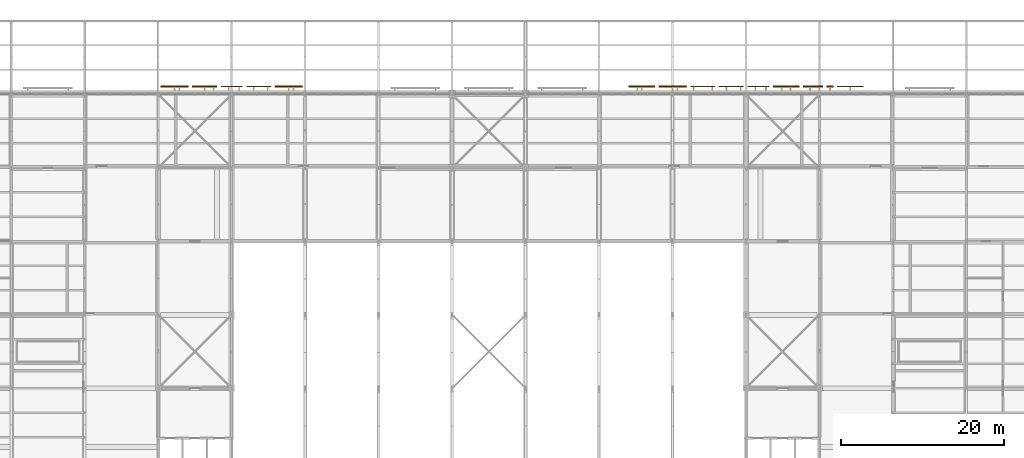
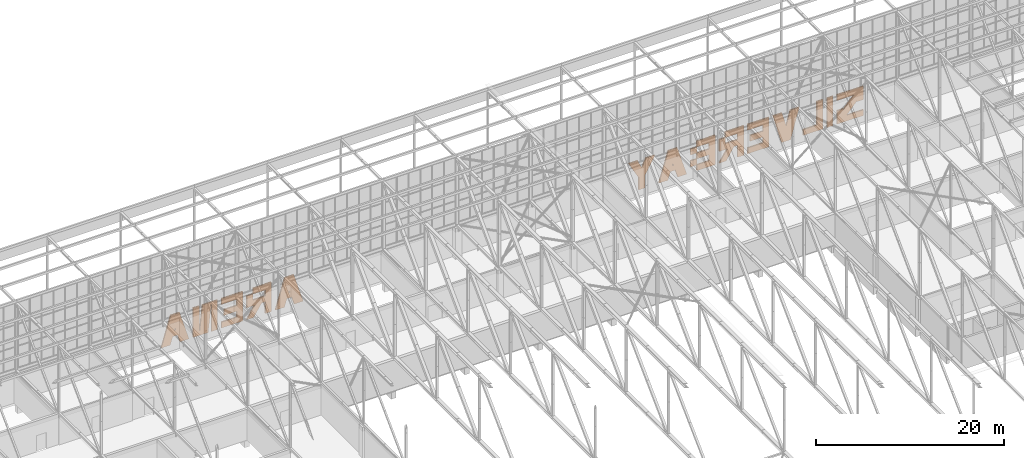
# One storey, part 646 of 646: 14 proxies.
"""IFC4 building model written with IfcOpenShell, lengths in metres."""

import ifcopenshell
import ifcopenshell.guid

model = None  # the IFC model being written
_history = None  # IfcOwnerHistory: only IFC2X3 demands one
_inside = {}  # id of a spatial element -> (the spatial element, [elements in it])
_under = {}  # id of a project, library or spatial element -> (it, [spatial elements below it])
_declared = {}  # id of a project -> (the project, [libraries it declares])
_typed = {}  # id of a type object -> (the type object, [elements of that type])
_made_of = {}  # id of a material, layer set ... -> (it, [elements and type objects made of it])


def new_model(schema):
    """Start an empty IFC model of exactly this schema.

    Asked for "IFC4X3", IfcOpenShell would pick the latest addendum, in which some entities
    have other attributes; the version numbers below select the first issue.
    IFC2X3 requires an IfcOwnerHistory on every rooted entity: one is made here for all.
    """
    global model, _history
    if schema == "IFC4X3":
        model = ifcopenshell.file(schema_version=(4, 3, 0, 0))
    else:
        model = ifcopenshell.file(schema=schema)
    _inside.clear()
    _under.clear()
    _declared.clear()
    _typed.clear()
    _made_of.clear()
    _history = None
    if model.schema == "IFC2X3":
        org = make("IfcOrganization", Name="unknown")
        user = make(
            "IfcPersonAndOrganization",
            ThePerson=make("IfcPerson", FamilyName="unknown"),
            TheOrganization=org,
        )
        app = make(
            "IfcApplication",
            ApplicationDeveloper=org,
            Version="unknown",
            ApplicationFullName="unknown",
            ApplicationIdentifier="unknown",
        )
        _history = make(
            "IfcOwnerHistory",
            OwningUser=user,
            OwningApplication=app,
            ChangeAction="ADDED",
            CreationDate=0,
        )
    return model


def make(cls, **values):
    """One entity of the class cls with the attributes given. An attribute that is None is left unset."""
    return model.create_entity(
        cls, **{name: value for name, value in values.items() if value is not None}
    )


def rooted(cls, **values):
    """An entity with a GlobalId (a new one), such as an element, a storey or a relation."""
    return make(cls, GlobalId=ifcopenshell.guid.new(), OwnerHistory=_history, **values)


def si_unit(unit_type, name, prefix=None):
    """IfcSIUnit, for example si_unit("LENGTHUNIT", "METRE", prefix="MILLI")."""
    return make("IfcSIUnit", UnitType=unit_type, Prefix=prefix, Name=name)


def assignment(units):
    """IfcUnitAssignment: the units of a project."""
    return None if units is None else make("IfcUnitAssignment", Units=units)


def point(xyz):
    """IfcCartesianPoint."""
    return None if xyz is None else make("IfcCartesianPoint", Coordinates=xyz)


def direction(xyz):
    """IfcDirection."""
    return None if xyz is None else make("IfcDirection", DirectionRatios=xyz)


def frame(location, z_axis=None, x_axis=None):
    """IfcAxis2Placement3D, a coordinate frame: its origin and axes. An axis left out is left unset."""
    return make(
        "IfcAxis2Placement3D",
        Location=point(location),
        Axis=direction(z_axis),
        RefDirection=direction(x_axis),
    )


def origin():
    """The frame at (0, 0, 0) with its axes left unset."""
    return frame((0.0, 0.0, 0.0))


def place(relative_to, where):
    """IfcLocalPlacement: puts the frame where relative to a parent placement (None: the world)."""
    return make(
        "IfcLocalPlacement", PlacementRelTo=relative_to, RelativePlacement=where
    )


def context(
    kind, dimensions, precision=None, world=None, true_north=None, identifier=None
):
    """IfcGeometricRepresentationContext, for example the 3D "Model" context."""
    return make(
        "IfcGeometricRepresentationContext",
        ContextIdentifier=identifier,
        ContextType=kind,
        CoordinateSpaceDimension=dimensions,
        Precision=precision,
        WorldCoordinateSystem=world,
        TrueNorth=true_north,
    )


def subcontext(parent, identifier, kind, view, scale=None):
    """IfcGeometricRepresentationSubContext, for example "Body" below "Model"."""
    return make(
        "IfcGeometricRepresentationSubContext",
        ContextIdentifier=identifier,
        ContextType=kind,
        ParentContext=parent,
        TargetScale=scale,
        TargetView=view,
    )


def project(units=None, contexts=None):
    """IfcProject with its units and contexts."""
    return rooted(
        "IfcProject",
        Name="project",
        RepresentationContexts=contexts,
        UnitsInContext=assignment(units),
    )


def spatial(cls, under=None, at=None, **own):
    """A site, building, storey or space (cls), placed at a placement, below another one or the project."""
    s = rooted(cls, ObjectPlacement=at, **own)
    if under is not None:
        _under.setdefault(under.id(), (under, []))[1].append(s)
    return s


def faces_of(points, faces, orient=None, outer=None):
    """IfcFace entities. A face is a list of loops; a loop is a list of indices into points, from 0.

    orient and outer hold one flag for each loop. By default every Orientation is true, the
    first loop of a face is its IfcFaceOuterBound and the others are IfcFaceBound.
    """
    made = []
    for i, loops in enumerate(faces):
        bounds = []
        for j, loop in enumerate(loops):
            is_outer = j == 0 if outer is None else outer[i][j]
            bounds.append(
                make(
                    "IfcFaceOuterBound" if is_outer else "IfcFaceBound",
                    Bound=make("IfcPolyLoop", Polygon=[points[k] for k in loop]),
                    Orientation=True if orient is None else orient[i][j],
                )
            )
        made.append(make("IfcFace", Bounds=bounds))
    return made


def faceted_brep(points, faces, orient=None, outer=None, voids=None):
    """IfcFacetedBrep: a solid bounded by flat faces; with voids (closed shells), ...WithVoids."""
    shared = [point(p) for p in points]
    hull = make("IfcClosedShell", CfsFaces=faces_of(shared, faces, orient, outer))
    if voids is None:
        return make("IfcFacetedBrep", Outer=hull)
    return make(
        "IfcFacetedBrepWithVoids",
        Outer=hull,
        Voids=[
            make(cls, CfsFaces=faces_of(shared, fs, o, b)) for cls, fs, o, b in voids
        ],
    )


def shape(context_of_items, identifier, shape_type, items):
    """IfcShapeRepresentation: the items that make up one representation, for example the "Body"."""
    return make(
        "IfcShapeRepresentation",
        ContextOfItems=context_of_items,
        RepresentationIdentifier=identifier,
        RepresentationType=shape_type,
        Items=items,
    )


def material(Name=None, Category=None):
    """IfcMaterial."""
    return make("IfcMaterial", Name=Name, Category=Category)


def made_of(thing, what):
    """Note that an element or type object is made of a material, layer set ...; save() writes the relation."""
    if what is not None:
        _made_of.setdefault(what.id(), (what, []))[1].append(thing)
    return thing


def type_object(cls, material=None, **own):
    """A type object (cls), such as IfcWallType, which elements share."""
    return made_of(rooted(cls, **own), material)


def element(
    cls,
    number,
    at=None,
    inside=None,
    cuts=None,
    type_object=None,
    material=None,
    context=None,
    identifier="Body",
    shape_type=None,
    held_by="IfcProductDefinitionShape",
    body=None,
    shapes=None,
    **own,
):
    """One element of the class cls, such as IfcWall. Its Tag is "e" and its number.

    at: its placement. inside: the storey or other place that contains it. cuts: it is an
    opening in that element (IfcRelVoidsElement). A single representation is given by context,
    identifier, shape_type and body (its items); several are given by shapes. held_by: the class
    of the entity that holds the representations. save() writes the other relations.
    """
    e = rooted(cls, Tag="e%d" % number, ObjectPlacement=at, **own)
    if body is not None:
        shapes = [shape(context, identifier, shape_type, body)]
    if shapes is not None:
        e.Representation = make(held_by, Representations=shapes)
    if inside is not None:
        _inside.setdefault(inside.id(), (inside, []))[1].append(e)
    if cuts is not None:
        rooted(
            "IfcRelVoidsElement", RelatingBuildingElement=cuts, RelatedOpeningElement=e
        )
    if type_object is not None:
        _typed.setdefault(type_object.id(), (type_object, []))[1].append(e)
    return made_of(e, material)


def aggregate(whole, parts):
    """IfcRelAggregates: a whole, such as a stair, and the parts it consists of."""
    return rooted("IfcRelAggregates", RelatingObject=whole, RelatedObjects=parts)


def save(model, path):
    """Write the relations noted so far, then the file.

    IfcRelAggregates (storeys below a building ...), IfcRelContainedInSpatialStructure (elements
    in a storey), IfcRelDefinesByType, IfcRelAssociatesMaterial and IfcRelDeclares: one each for
    every whole, place, type object, material and project.
    """
    for whole, parts in _under.values():
        aggregate(whole, parts)
    for where, things in _inside.values():
        rooted(
            "IfcRelContainedInSpatialStructure",
            RelatedElements=things,
            RelatingStructure=where,
        )
    for kind, things in _typed.values():
        rooted("IfcRelDefinesByType", RelatedObjects=things, RelatingType=kind)
    for what, things in _made_of.values():
        rooted("IfcRelAssociatesMaterial", RelatedObjects=things, RelatingMaterial=what)
    for by, libraries in _declared.values():
        rooted("IfcRelDeclares", RelatingContext=by, RelatedDefinitions=libraries)
    model.write(path)


model = new_model("IFC4")

# Units and contexts
model_context = context("Model", 3, precision=1e-05, world=origin(), true_north=direction((0.0, 1.0)))
body_context = subcontext(model_context, "Body", "Model", "MODEL_VIEW")
ifc_project = project(units=[si_unit("LENGTHUNIT", "METRE"), si_unit("AREAUNIT", "SQUARE_METRE"), si_unit("VOLUMEUNIT", "CUBIC_METRE"), si_unit("PLANEANGLEUNIT", "RADIAN"), si_unit("MASSUNIT", "GRAM", prefix="KILO")], contexts=[model_context])

# Site, building, storey
site_placement = place(None, origin())
site = spatial("IfcSite", under=ifc_project, at=site_placement, CompositionType="ELEMENT")
building_placement = place(site_placement, origin())
building = spatial("IfcBuilding", under=site, at=building_placement, Name="Silverbay Arena", CompositionType="ELEMENT")
storey_placement = place(building_placement, frame((0.0, 0.0, 33.5)))
storey = spatial("IfcBuildingStorey", under=building, at=storey_placement, Name="L05", CompositionType="ELEMENT", Elevation=33.5)

# Proxies
ifc_material = material(Name="Stainless steel grade 316, brushed", Category="steel")
building_element_proxy_type = type_object("IfcBuildingElementProxyType", Name="Name band letter 3800", PredefinedType="USERDEFINED", material=ifc_material)
proxy_1_placement = place(storey_placement, origin())
element("IfcBuildingElementProxy", 1, at=proxy_1_placement, inside=storey, type_object=building_element_proxy_type, Name="Name band letter S", ObjectType="SIGNAGE", PredefinedType="USERDEFINED", context=body_context, shape_type="Brep", body=[
    faceted_brep([(176.3896484375, 144.89990234375, 3.9033203125), (173.160400390625, 144.89990234375, 3.9033203125), (173.160400390625, 144.89990234375, 3.146484375), (176.3896484375, 144.89990234375, 3.146484375), (176.3896484375, 145.050048828125, 3.146484375), (173.160400390625, 145.050048828125, 3.146484375), (173.160400390625, 145.050048828125, 3.9033203125), (176.3896484375, 145.050048828125, 3.9033203125), (176.384033203125, 144.89990234375, 3.161865234375), (175.615966796875, 144.89990234375, 3.161865234375), (175.615966796875, 144.89990234375, 2.1630859375), (176.384033203125, 144.89990234375, 2.1630859375), (176.384033203125, 145.050048828125, 2.1630859375), (175.615966796875, 145.050048828125, 2.1630859375), (175.615966796875, 145.050048828125, 3.161865234375), (176.384033203125, 145.050048828125, 3.161865234375), (176.38720703125, 144.89990234375, 3.15869140625), (175.23046875, 144.89990234375, 3.1640625), (173.162841796875, 144.89990234375, 0.84130859375), (174.319580078125, 144.89990234375, 0.8359375), (174.319580078125, 145.050048828125, 0.8359375), (173.162841796875, 145.050048828125, 0.84130859375), (175.23046875, 145.050048828125, 3.1640625), (176.38720703125, 145.050048828125, 3.15869140625), (173.93408203125, 144.89990234375, 1.8369140625), (173.166015625, 144.89990234375, 1.8369140625), (173.166015625, 144.89990234375, 0.838134765625), (173.93408203125, 144.89990234375, 0.838134765625), (173.93408203125, 145.050048828125, 0.838134765625), (173.166015625, 145.050048828125, 0.838134765625), (173.166015625, 145.050048828125, 1.8369140625), (173.93408203125, 145.050048828125, 1.8369140625), (176.3896484375, 144.89990234375, 0.853515625), (173.160400390625, 144.89990234375, 0.853515625), (173.160400390625, 144.89990234375, 0.0966796875), (176.3896484375, 144.89990234375, 0.0966796875), (176.3896484375, 145.050048828125, 0.0966796875), (173.160400390625, 145.050048828125, 0.0966796875), (173.160400390625, 145.050048828125, 0.853515625), (176.3896484375, 145.050048828125, 0.853515625)], [[[0, 1, 2, 3]], [[4, 5, 6, 7]], [[3, 2, 5, 4]], [[2, 1, 6, 5]], [[1, 0, 7, 6]], [[0, 3, 4, 7]], [[8, 9, 10, 11]], [[12, 13, 14, 15]], [[11, 10, 13, 12]], [[10, 9, 14, 13]], [[9, 8, 15, 14]], [[8, 11, 12, 15]], [[16, 17, 18, 19]], [[20, 21, 22, 23]], [[23, 22, 17, 16]], [[22, 21, 18, 17]], [[21, 20, 19, 18]], [[20, 23, 16, 19]], [[24, 25, 26, 27]], [[28, 29, 30, 31]], [[27, 26, 29, 28]], [[26, 25, 30, 29]], [[25, 24, 31, 30]], [[24, 27, 28, 31]], [[32, 33, 34, 35]], [[36, 37, 38, 39]], [[35, 34, 37, 36]], [[34, 33, 38, 37]], [[33, 32, 39, 38]], [[32, 35, 36, 39]]]),
])
proxy_2_placement = place(storey_placement, origin())
element("IfcBuildingElementProxy", 2, at=proxy_2_placement, inside=storey, type_object=building_element_proxy_type, Name="Name band letter I", ObjectType="SIGNAGE", PredefinedType="USERDEFINED", context=body_context, shape_type="Brep", body=[
    faceted_brep([(172.677978515625, 144.89990234375, 3.914794921875), (171.922119140625, 144.89990234375, 3.914794921875), (171.922119140625, 144.89990234375, 0.085205078125), (172.677978515625, 144.89990234375, 0.085205078125), (172.677978515625, 145.050048828125, 0.085205078125), (171.922119140625, 145.050048828125, 0.085205078125), (171.922119140625, 145.050048828125, 3.914794921875), (172.677978515625, 145.050048828125, 3.914794921875)], [[[0, 1, 2, 3]], [[4, 5, 6, 7]], [[3, 2, 5, 4]], [[2, 1, 6, 5]], [[1, 0, 7, 6]], [[0, 3, 4, 7]]]),
])
proxy_3_placement = place(storey_placement, origin())
element("IfcBuildingElementProxy", 3, at=proxy_3_placement, inside=storey, type_object=building_element_proxy_type, Name="Name band letter L", ObjectType="SIGNAGE", PredefinedType="USERDEFINED", context=body_context, shape_type="Brep", body=[
    faceted_brep([(171.427978515625, 144.89990234375, 3.914794921875), (170.672119140625, 144.89990234375, 3.914794921875), (170.672119140625, 144.89990234375, 0.085205078125), (171.427978515625, 144.89990234375, 0.085205078125), (171.427978515625, 145.050048828125, 0.085205078125), (170.672119140625, 145.050048828125, 0.085205078125), (170.672119140625, 145.050048828125, 3.914794921875), (171.427978515625, 145.050048828125, 3.914794921875), (170.688720703125, 144.89990234375, 0.856201171875), (169.01123046875, 144.89990234375, 0.856201171875), (169.01123046875, 144.89990234375, 0.09375), (170.688720703125, 144.89990234375, 0.09375), (170.688720703125, 145.050048828125, 0.09375), (169.01123046875, 145.050048828125, 0.09375), (169.01123046875, 145.050048828125, 0.856201171875), (170.688720703125, 145.050048828125, 0.856201171875)], [[[0, 1, 2, 3]], [[4, 5, 6, 7]], [[3, 2, 5, 4]], [[2, 1, 6, 5]], [[1, 0, 7, 6]], [[0, 3, 4, 7]], [[8, 9, 10, 11]], [[12, 13, 14, 15]], [[11, 10, 13, 12]], [[10, 9, 14, 13]], [[9, 8, 15, 14]], [[8, 11, 12, 15]]]),
])
proxy_4_placement = place(storey_placement, origin())
element("IfcBuildingElementProxy", 4, at=proxy_4_placement, inside=storey, type_object=building_element_proxy_type, Name="Name band letter V", ObjectType="SIGNAGE", PredefinedType="USERDEFINED", context=body_context, shape_type="Brep", body=[
    faceted_brep([(168.532470703125, 144.89990234375, 3.9130859375), (167.4248046875, 144.89990234375, 3.9150390625), (166.36767578125, 144.89990234375, 0.0869140625), (167.47509765625, 144.89990234375, 0.0849609375), (167.47509765625, 145.050048828125, 0.0849609375), (166.36767578125, 145.050048828125, 0.0869140625), (167.4248046875, 145.050048828125, 3.9150390625), (168.532470703125, 145.050048828125, 3.9130859375), (166.42529296875, 144.89990234375, 3.9150390625), (165.317626953125, 144.89990234375, 3.9130859375), (166.374755859375, 144.89990234375, 0.0849609375), (167.482421875, 144.89990234375, 0.0869140625), (167.482421875, 145.050048828125, 0.0869140625), (166.374755859375, 145.050048828125, 0.0849609375), (165.317626953125, 145.050048828125, 3.9130859375), (166.42529296875, 145.050048828125, 3.9150390625)], [[[0, 1, 2, 3]], [[4, 5, 6, 7]], [[7, 6, 1, 0]], [[6, 5, 2, 1]], [[5, 4, 3, 2]], [[4, 7, 0, 3]], [[8, 9, 10, 11]], [[12, 13, 14, 15]], [[15, 14, 9, 8]], [[14, 13, 10, 9]], [[13, 12, 11, 10]], [[12, 15, 8, 11]]]),
])
proxy_5_placement = place(storey_placement, origin())
element("IfcBuildingElementProxy", 5, at=proxy_5_placement, inside=storey, type_object=building_element_proxy_type, Name="Name band letter E", ObjectType="SIGNAGE", PredefinedType="USERDEFINED", context=body_context, shape_type="Brep", body=[
    faceted_brep([(164.827880859375, 144.89990234375, 3.914794921875), (164.072021484375, 144.89990234375, 3.914794921875), (164.072021484375, 144.89990234375, 0.085205078125), (164.827880859375, 144.89990234375, 0.085205078125), (164.827880859375, 145.050048828125, 0.085205078125), (164.072021484375, 145.050048828125, 0.085205078125), (164.072021484375, 145.050048828125, 3.914794921875), (164.827880859375, 145.050048828125, 3.914794921875), (164.0888671875, 144.89990234375, 3.905517578125), (162.211181640625, 144.89990234375, 3.905517578125), (162.211181640625, 144.89990234375, 3.144287109375), (164.0888671875, 144.89990234375, 3.144287109375), (164.0888671875, 145.050048828125, 3.144287109375), (162.211181640625, 145.050048828125, 3.144287109375), (162.211181640625, 145.050048828125, 3.905517578125), (164.0888671875, 145.050048828125, 3.905517578125), (164.08837890625, 144.89990234375, 2.381591796875), (162.511474609375, 144.89990234375, 2.381591796875), (162.511474609375, 144.89990234375, 1.618408203125), (164.08837890625, 144.89990234375, 1.618408203125), (164.08837890625, 145.050048828125, 1.618408203125), (162.511474609375, 145.050048828125, 1.618408203125), (162.511474609375, 145.050048828125, 2.381591796875), (164.08837890625, 145.050048828125, 2.381591796875), (164.0888671875, 144.89990234375, 0.855712890625), (162.211181640625, 144.89990234375, 0.855712890625), (162.211181640625, 144.89990234375, 0.094482421875), (164.0888671875, 144.89990234375, 0.094482421875), (164.0888671875, 145.050048828125, 0.094482421875), (162.211181640625, 145.050048828125, 0.094482421875), (162.211181640625, 145.050048828125, 0.855712890625), (164.0888671875, 145.050048828125, 0.855712890625)], [[[0, 1, 2, 3]], [[4, 5, 6, 7]], [[3, 2, 5, 4]], [[2, 1, 6, 5]], [[1, 0, 7, 6]], [[0, 3, 4, 7]], [[8, 9, 10, 11]], [[12, 13, 14, 15]], [[11, 10, 13, 12]], [[10, 9, 14, 13]], [[9, 8, 15, 14]], [[8, 11, 12, 15]], [[16, 17, 18, 19]], [[20, 21, 22, 23]], [[19, 18, 21, 20]], [[18, 17, 22, 21]], [[17, 16, 23, 22]], [[16, 19, 20, 23]], [[24, 25, 26, 27]], [[28, 29, 30, 31]], [[27, 26, 29, 28]], [[26, 25, 30, 29]], [[25, 24, 31, 30]], [[24, 27, 28, 31]]]),
])
proxy_6_placement = place(storey_placement, origin())
element("IfcBuildingElementProxy", 6, at=proxy_6_placement, inside=storey, type_object=building_element_proxy_type, Name="Name band letter R", ObjectType="SIGNAGE", PredefinedType="USERDEFINED", context=body_context, shape_type="Brep", body=[
    faceted_brep([(161.727783203125, 144.89990234375, 3.914794921875), (160.97216796875, 144.89990234375, 3.914794921875), (160.97216796875, 144.89990234375, 0.085205078125), (161.727783203125, 144.89990234375, 0.085205078125), (161.727783203125, 145.050048828125, 0.085205078125), (160.97216796875, 145.050048828125, 0.085205078125), (160.97216796875, 145.050048828125, 3.914794921875), (161.727783203125, 145.050048828125, 3.914794921875), (160.98828125, 144.89990234375, 3.90673828125), (159.461669921875, 144.89990234375, 3.90673828125), (159.461669921875, 144.89990234375, 3.143310546875), (160.98828125, 144.89990234375, 3.143310546875), (160.98828125, 145.050048828125, 3.143310546875), (159.461669921875, 145.050048828125, 3.143310546875), (159.461669921875, 145.050048828125, 3.90673828125), (160.98828125, 145.050048828125, 3.90673828125), (159.481689453125, 144.89990234375, 3.16357421875), (158.718505859375, 144.89990234375, 3.16357421875), (158.718505859375, 144.89990234375, 1.611572265625), (159.481689453125, 144.89990234375, 1.611572265625), (159.481689453125, 145.050048828125, 1.611572265625), (158.718505859375, 145.050048828125, 1.611572265625), (158.718505859375, 145.050048828125, 3.16357421875), (159.481689453125, 145.050048828125, 3.16357421875), (160.98828125, 144.89990234375, 2.381591796875), (159.461669921875, 144.89990234375, 2.381591796875), (159.461669921875, 144.89990234375, 1.618408203125), (160.98828125, 144.89990234375, 1.618408203125), (160.98828125, 145.050048828125, 1.618408203125), (159.461669921875, 145.050048828125, 1.618408203125), (159.461669921875, 145.050048828125, 2.381591796875), (160.98828125, 145.050048828125, 2.381591796875), (160.536376953125, 144.89990234375, 1.634765625), (159.701416015625, 144.89990234375, 1.639892578125), (158.713623046875, 144.89990234375, 0.09033203125), (159.548583984375, 144.89990234375, 0.085205078125), (159.548583984375, 145.050048828125, 0.085205078125), (158.713623046875, 145.050048828125, 0.09033203125), (159.701416015625, 145.050048828125, 1.639892578125), (160.536376953125, 145.050048828125, 1.634765625)], [[[0, 1, 2, 3]], [[4, 5, 6, 7]], [[3, 2, 5, 4]], [[2, 1, 6, 5]], [[1, 0, 7, 6]], [[0, 3, 4, 7]], [[8, 9, 10, 11]], [[12, 13, 14, 15]], [[11, 10, 13, 12]], [[10, 9, 14, 13]], [[9, 8, 15, 14]], [[8, 11, 12, 15]], [[16, 17, 18, 19]], [[20, 21, 22, 23]], [[19, 18, 21, 20]], [[18, 17, 22, 21]], [[17, 16, 23, 22]], [[16, 19, 20, 23]], [[24, 25, 26, 27]], [[28, 29, 30, 31]], [[27, 26, 29, 28]], [[26, 25, 30, 29]], [[25, 24, 31, 30]], [[24, 27, 28, 31]], [[32, 33, 34, 35]], [[36, 37, 38, 39]], [[39, 38, 33, 32]], [[38, 37, 34, 33]], [[37, 36, 35, 34]], [[36, 39, 32, 35]]]),
])
proxy_7_placement = place(storey_placement, origin())
element("IfcBuildingElementProxy", 7, at=proxy_7_placement, inside=storey, type_object=building_element_proxy_type, Name="Name band letter B", ObjectType="SIGNAGE", PredefinedType="USERDEFINED", context=body_context, shape_type="Brep", body=[
    faceted_brep([(158.227783203125, 144.89990234375, 3.914794921875), (157.47216796875, 144.89990234375, 3.914794921875), (157.47216796875, 144.89990234375, 0.085205078125), (158.227783203125, 144.89990234375, 0.085205078125), (158.227783203125, 145.050048828125, 0.085205078125), (157.47216796875, 145.050048828125, 0.085205078125), (157.47216796875, 145.050048828125, 3.914794921875), (158.227783203125, 145.050048828125, 3.914794921875), (157.48828125, 144.89990234375, 3.90673828125), (155.961669921875, 144.89990234375, 3.90673828125), (155.961669921875, 144.89990234375, 3.143310546875), (157.48828125, 144.89990234375, 3.143310546875), (157.48828125, 145.050048828125, 3.143310546875), (155.961669921875, 145.050048828125, 3.143310546875), (155.961669921875, 145.050048828125, 3.90673828125), (157.48828125, 145.050048828125, 3.90673828125), (157.48828125, 144.89990234375, 2.381591796875), (155.961669921875, 144.89990234375, 2.381591796875), (155.961669921875, 144.89990234375, 1.618408203125), (157.48828125, 144.89990234375, 1.618408203125), (157.48828125, 145.050048828125, 1.618408203125), (155.961669921875, 145.050048828125, 1.618408203125), (155.961669921875, 145.050048828125, 2.381591796875), (157.48828125, 145.050048828125, 2.381591796875), (157.48828125, 144.89990234375, 0.856689453125), (155.961669921875, 144.89990234375, 0.856689453125), (155.961669921875, 144.89990234375, 0.09326171875), (157.48828125, 144.89990234375, 0.09326171875), (157.48828125, 145.050048828125, 0.09326171875), (155.961669921875, 145.050048828125, 0.09326171875), (155.961669921875, 145.050048828125, 0.856689453125), (157.48828125, 145.050048828125, 0.856689453125), (155.9853515625, 144.89990234375, 3.160888671875), (155.214599609375, 144.89990234375, 3.160888671875), (155.214599609375, 144.89990234375, 2.3642578125), (155.9853515625, 144.89990234375, 2.3642578125), (155.9853515625, 145.050048828125, 2.3642578125), (155.214599609375, 145.050048828125, 2.3642578125), (155.214599609375, 145.050048828125, 3.160888671875), (155.9853515625, 145.050048828125, 3.160888671875), (155.9853515625, 144.89990234375, 1.6357421875), (155.214599609375, 144.89990234375, 1.6357421875), (155.214599609375, 144.89990234375, 0.839111328125), (155.9853515625, 144.89990234375, 0.839111328125), (155.9853515625, 145.050048828125, 0.839111328125), (155.214599609375, 145.050048828125, 0.839111328125), (155.214599609375, 145.050048828125, 1.6357421875), (155.9853515625, 145.050048828125, 1.6357421875)], [[[0, 1, 2, 3]], [[4, 5, 6, 7]], [[3, 2, 5, 4]], [[2, 1, 6, 5]], [[1, 0, 7, 6]], [[0, 3, 4, 7]], [[8, 9, 10, 11]], [[12, 13, 14, 15]], [[11, 10, 13, 12]], [[10, 9, 14, 13]], [[9, 8, 15, 14]], [[8, 11, 12, 15]], [[16, 17, 18, 19]], [[20, 21, 22, 23]], [[19, 18, 21, 20]], [[18, 17, 22, 21]], [[17, 16, 23, 22]], [[16, 19, 20, 23]], [[24, 25, 26, 27]], [[28, 29, 30, 31]], [[27, 26, 29, 28]], [[26, 25, 30, 29]], [[25, 24, 31, 30]], [[24, 27, 28, 31]], [[32, 33, 34, 35]], [[36, 37, 38, 39]], [[35, 34, 37, 36]], [[34, 33, 38, 37]], [[33, 32, 39, 38]], [[32, 35, 36, 39]], [[40, 41, 42, 43]], [[44, 45, 46, 47]], [[43, 42, 45, 44]], [[42, 41, 46, 45]], [[41, 40, 47, 46]], [[40, 43, 44, 47]]]),
])
proxy_8_placement = place(storey_placement, origin())
element("IfcBuildingElementProxy", 8, at=proxy_8_placement, inside=storey, type_object=building_element_proxy_type, Name="Name band letter A", ObjectType="SIGNAGE", PredefinedType="USERDEFINED", context=body_context, shape_type="Brep", body=[
    faceted_brep([(153.57470703125, 144.89990234375, 3.9150390625), (152.46728515625, 144.89990234375, 3.912841796875), (153.625244140625, 144.89990234375, 0.0849609375), (154.732666015625, 144.89990234375, 0.087158203125), (154.732666015625, 145.050048828125, 0.087158203125), (153.625244140625, 145.050048828125, 0.0849609375), (152.46728515625, 145.050048828125, 3.912841796875), (153.57470703125, 145.050048828125, 3.9150390625), (153.58251953125, 144.89990234375, 3.912841796875), (152.47509765625, 144.89990234375, 3.9150390625), (151.3173828125, 144.89990234375, 0.087158203125), (152.4248046875, 144.89990234375, 0.0849609375), (152.4248046875, 145.050048828125, 0.0849609375), (151.3173828125, 145.050048828125, 0.087158203125), (152.47509765625, 145.050048828125, 3.9150390625), (153.58251953125, 145.050048828125, 3.912841796875), (153.3828125, 144.89990234375, 1.810546875), (152.6669921875, 144.89990234375, 1.810546875), (152.6669921875, 144.89990234375, 1.08935546875), (153.3828125, 144.89990234375, 1.08935546875), (153.3828125, 145.050048828125, 1.08935546875), (152.6669921875, 145.050048828125, 1.08935546875), (152.6669921875, 145.050048828125, 1.810546875), (153.3828125, 145.050048828125, 1.810546875)], [[[0, 1, 2, 3]], [[4, 5, 6, 7]], [[3, 2, 5, 4]], [[2, 1, 6, 5]], [[1, 0, 7, 6]], [[0, 3, 4, 7]], [[8, 9, 10, 11]], [[12, 13, 14, 15]], [[11, 10, 13, 12]], [[10, 9, 14, 13]], [[9, 8, 15, 14]], [[8, 11, 12, 15]], [[16, 17, 18, 19]], [[20, 21, 22, 23]], [[19, 18, 21, 20]], [[18, 17, 22, 21]], [[17, 16, 23, 22]], [[16, 19, 20, 23]]]),
])
proxy_9_placement = place(storey_placement, origin())
element("IfcBuildingElementProxy", 9, at=proxy_9_placement, inside=storey, type_object=building_element_proxy_type, Name="Name band letter Y", ObjectType="SIGNAGE", PredefinedType="USERDEFINED", context=body_context, shape_type="Brep", body=[
    faceted_brep([(149.60595703125, 144.89990234375, 1.82373046875), (148.843994140625, 144.89990234375, 1.82373046875), (148.843994140625, 144.89990234375, 0.086181640625), (149.60595703125, 144.89990234375, 0.086181640625), (149.60595703125, 145.050048828125, 0.086181640625), (148.843994140625, 145.050048828125, 0.086181640625), (148.843994140625, 145.050048828125, 1.82373046875), (149.60595703125, 145.050048828125, 1.82373046875), (150.835693359375, 144.89990234375, 3.910400390625), (149.724609375, 144.89990234375, 3.9150390625), (148.764892578125, 144.89990234375, 1.799072265625), (149.673828125, 144.89990234375, 1.794921875), (149.673828125, 145.050048828125, 1.794921875), (148.764892578125, 145.050048828125, 1.799072265625), (149.724609375, 145.050048828125, 3.9150390625), (150.835693359375, 145.050048828125, 3.910400390625), (148.725341796875, 144.89990234375, 3.9150390625), (147.6142578125, 144.89990234375, 3.910400390625), (148.776123046875, 144.89990234375, 1.794921875), (149.685302734375, 144.89990234375, 1.799072265625), (149.685302734375, 145.050048828125, 1.799072265625), (148.776123046875, 145.050048828125, 1.794921875), (147.6142578125, 145.050048828125, 3.910400390625), (148.725341796875, 145.050048828125, 3.9150390625)], [[[0, 1, 2, 3]], [[4, 5, 6, 7]], [[3, 2, 5, 4]], [[2, 1, 6, 5]], [[1, 0, 7, 6]], [[0, 3, 4, 7]], [[8, 9, 10, 11]], [[12, 13, 14, 15]], [[15, 14, 9, 8]], [[14, 13, 10, 9]], [[13, 12, 11, 10]], [[12, 15, 8, 11]], [[16, 17, 18, 19]], [[20, 21, 22, 23]], [[23, 22, 17, 16]], [[22, 21, 18, 17]], [[21, 20, 19, 18]], [[20, 23, 16, 19]]]),
])
proxy_10_placement = place(storey_placement, origin())
element("IfcBuildingElementProxy", 10, at=proxy_10_placement, inside=storey, type_object=building_element_proxy_type, Name="Name band letter A", ObjectType="SIGNAGE", PredefinedType="USERDEFINED", context=body_context, shape_type="Brep", body=[
    faceted_brep([(106.5498046875, 144.89990234375, 3.9150390625), (105.4423828125, 144.89990234375, 3.912841796875), (106.60009765625, 144.89990234375, 0.0849609375), (107.70751953125, 144.89990234375, 0.087158203125), (107.70751953125, 145.050048828125, 0.087158203125), (106.60009765625, 145.050048828125, 0.0849609375), (105.4423828125, 145.050048828125, 3.912841796875), (106.5498046875, 145.050048828125, 3.9150390625), (106.5576171875, 144.89990234375, 3.912841796875), (105.4501953125, 144.89990234375, 3.9150390625), (104.29248046875, 144.89990234375, 0.087158203125), (105.39990234375, 144.89990234375, 0.0849609375), (105.39990234375, 145.050048828125, 0.0849609375), (104.29248046875, 145.050048828125, 0.087158203125), (105.4501953125, 145.050048828125, 3.9150390625), (106.5576171875, 145.050048828125, 3.912841796875), (106.35791015625, 144.89990234375, 1.810546875), (105.64208984375, 144.89990234375, 1.810546875), (105.64208984375, 144.89990234375, 1.08935546875), (106.35791015625, 144.89990234375, 1.08935546875), (106.35791015625, 145.050048828125, 1.08935546875), (105.64208984375, 145.050048828125, 1.08935546875), (105.64208984375, 145.050048828125, 1.810546875), (106.35791015625, 145.050048828125, 1.810546875)], [[[0, 1, 2, 3]], [[4, 5, 6, 7]], [[3, 2, 5, 4]], [[2, 1, 6, 5]], [[1, 0, 7, 6]], [[0, 3, 4, 7]], [[8, 9, 10, 11]], [[12, 13, 14, 15]], [[11, 10, 13, 12]], [[10, 9, 14, 13]], [[9, 8, 15, 14]], [[8, 11, 12, 15]], [[16, 17, 18, 19]], [[20, 21, 22, 23]], [[19, 18, 21, 20]], [[18, 17, 22, 21]], [[17, 16, 23, 22]], [[16, 19, 20, 23]]]),
])
proxy_11_placement = place(storey_placement, origin())
element("IfcBuildingElementProxy", 11, at=proxy_11_placement, inside=storey, type_object=building_element_proxy_type, Name="Name band letter R", ObjectType="SIGNAGE", PredefinedType="USERDEFINED", context=body_context, shape_type="Brep", body=[
    faceted_brep([(103.802978515625, 144.89990234375, 3.914794921875), (103.047119140625, 144.89990234375, 3.914794921875), (103.047119140625, 144.89990234375, 0.085205078125), (103.802978515625, 144.89990234375, 0.085205078125), (103.802978515625, 145.050048828125, 0.085205078125), (103.047119140625, 145.050048828125, 0.085205078125), (103.047119140625, 145.050048828125, 3.914794921875), (103.802978515625, 145.050048828125, 3.914794921875), (103.0634765625, 144.89990234375, 3.90673828125), (101.53662109375, 144.89990234375, 3.90673828125), (101.53662109375, 144.89990234375, 3.143310546875), (103.0634765625, 144.89990234375, 3.143310546875), (103.0634765625, 145.050048828125, 3.143310546875), (101.53662109375, 145.050048828125, 3.143310546875), (101.53662109375, 145.050048828125, 3.90673828125), (103.0634765625, 145.050048828125, 3.90673828125), (101.556640625, 144.89990234375, 3.16357421875), (100.79345703125, 144.89990234375, 3.16357421875), (100.79345703125, 144.89990234375, 1.611572265625), (101.556640625, 144.89990234375, 1.611572265625), (101.556640625, 145.050048828125, 1.611572265625), (100.79345703125, 145.050048828125, 1.611572265625), (100.79345703125, 145.050048828125, 3.16357421875), (101.556640625, 145.050048828125, 3.16357421875), (103.0634765625, 144.89990234375, 2.381591796875), (101.53662109375, 144.89990234375, 2.381591796875), (101.53662109375, 144.89990234375, 1.618408203125), (103.0634765625, 144.89990234375, 1.618408203125), (103.0634765625, 145.050048828125, 1.618408203125), (101.53662109375, 145.050048828125, 1.618408203125), (101.53662109375, 145.050048828125, 2.381591796875), (103.0634765625, 145.050048828125, 2.381591796875), (102.611328125, 144.89990234375, 1.634765625), (101.776611328125, 144.89990234375, 1.639892578125), (100.78857421875, 144.89990234375, 0.09033203125), (101.62353515625, 144.89990234375, 0.085205078125), (101.62353515625, 145.050048828125, 0.085205078125), (100.78857421875, 145.050048828125, 0.09033203125), (101.776611328125, 145.050048828125, 1.639892578125), (102.611328125, 145.050048828125, 1.634765625)], [[[0, 1, 2, 3]], [[4, 5, 6, 7]], [[3, 2, 5, 4]], [[2, 1, 6, 5]], [[1, 0, 7, 6]], [[0, 3, 4, 7]], [[8, 9, 10, 11]], [[12, 13, 14, 15]], [[11, 10, 13, 12]], [[10, 9, 14, 13]], [[9, 8, 15, 14]], [[8, 11, 12, 15]], [[16, 17, 18, 19]], [[20, 21, 22, 23]], [[19, 18, 21, 20]], [[18, 17, 22, 21]], [[17, 16, 23, 22]], [[16, 19, 20, 23]], [[24, 25, 26, 27]], [[28, 29, 30, 31]], [[27, 26, 29, 28]], [[26, 25, 30, 29]], [[25, 24, 31, 30]], [[24, 27, 28, 31]], [[32, 33, 34, 35]], [[36, 37, 38, 39]], [[39, 38, 33, 32]], [[38, 37, 34, 33]], [[37, 36, 35, 34]], [[36, 39, 32, 35]]]),
])
proxy_12_placement = place(storey_placement, origin())
element("IfcBuildingElementProxy", 12, at=proxy_12_placement, inside=storey, type_object=building_element_proxy_type, Name="Name band letter E", ObjectType="SIGNAGE", PredefinedType="USERDEFINED", context=body_context, shape_type="Brep", body=[
    faceted_brep([(100.302978515625, 144.89990234375, 3.914794921875), (99.547119140625, 144.89990234375, 3.914794921875), (99.547119140625, 144.89990234375, 0.085205078125), (100.302978515625, 144.89990234375, 0.085205078125), (100.302978515625, 145.050048828125, 0.085205078125), (99.547119140625, 145.050048828125, 0.085205078125), (99.547119140625, 145.050048828125, 3.914794921875), (100.302978515625, 145.050048828125, 3.914794921875), (99.56396484375, 144.89990234375, 3.905517578125), (97.68603515625, 144.89990234375, 3.905517578125), (97.68603515625, 144.89990234375, 3.144287109375), (99.56396484375, 144.89990234375, 3.144287109375), (99.56396484375, 145.050048828125, 3.144287109375), (97.68603515625, 145.050048828125, 3.144287109375), (97.68603515625, 145.050048828125, 3.905517578125), (99.56396484375, 145.050048828125, 3.905517578125), (99.5634765625, 144.89990234375, 2.381591796875), (97.986572265625, 144.89990234375, 2.381591796875), (97.986572265625, 144.89990234375, 1.618408203125), (99.5634765625, 144.89990234375, 1.618408203125), (99.5634765625, 145.050048828125, 1.618408203125), (97.986572265625, 145.050048828125, 1.618408203125), (97.986572265625, 145.050048828125, 2.381591796875), (99.5634765625, 145.050048828125, 2.381591796875), (99.56396484375, 144.89990234375, 0.855712890625), (97.68603515625, 144.89990234375, 0.855712890625), (97.68603515625, 144.89990234375, 0.094482421875), (99.56396484375, 144.89990234375, 0.094482421875), (99.56396484375, 145.050048828125, 0.094482421875), (97.68603515625, 145.050048828125, 0.094482421875), (97.68603515625, 145.050048828125, 0.855712890625), (99.56396484375, 145.050048828125, 0.855712890625)], [[[0, 1, 2, 3]], [[4, 5, 6, 7]], [[3, 2, 5, 4]], [[2, 1, 6, 5]], [[1, 0, 7, 6]], [[0, 3, 4, 7]], [[8, 9, 10, 11]], [[12, 13, 14, 15]], [[11, 10, 13, 12]], [[10, 9, 14, 13]], [[9, 8, 15, 14]], [[8, 11, 12, 15]], [[16, 17, 18, 19]], [[20, 21, 22, 23]], [[19, 18, 21, 20]], [[18, 17, 22, 21]], [[17, 16, 23, 22]], [[16, 19, 20, 23]], [[24, 25, 26, 27]], [[28, 29, 30, 31]], [[27, 26, 29, 28]], [[26, 25, 30, 29]], [[25, 24, 31, 30]], [[24, 27, 28, 31]]]),
])
proxy_13_placement = place(storey_placement, origin())
element("IfcBuildingElementProxy", 13, at=proxy_13_placement, inside=storey, type_object=building_element_proxy_type, Name="Name band letter N", ObjectType="SIGNAGE", PredefinedType="USERDEFINED", context=body_context, shape_type="Brep", body=[
    faceted_brep([(97.202880859375, 144.89990234375, 3.914794921875), (96.447021484375, 144.89990234375, 3.914794921875), (96.447021484375, 144.89990234375, 0.085205078125), (97.202880859375, 144.89990234375, 0.085205078125), (97.202880859375, 145.050048828125, 0.085205078125), (96.447021484375, 145.050048828125, 0.085205078125), (96.447021484375, 145.050048828125, 3.914794921875), (97.202880859375, 145.050048828125, 3.914794921875), (94.952880859375, 144.89990234375, 3.914794921875), (94.197021484375, 144.89990234375, 3.914794921875), (94.197021484375, 144.89990234375, 0.085205078125), (94.952880859375, 144.89990234375, 0.085205078125), (94.952880859375, 145.050048828125, 0.085205078125), (94.197021484375, 145.050048828125, 0.085205078125), (94.197021484375, 145.050048828125, 3.914794921875), (94.952880859375, 145.050048828125, 3.914794921875), (96.45556640625, 144.89990234375, 3.9140625), (95.347412109375, 144.89990234375, 3.914794921875), (94.944580078125, 144.89990234375, 0.0859375), (96.052734375, 144.89990234375, 0.085205078125), (96.052734375, 145.050048828125, 0.085205078125), (94.944580078125, 145.050048828125, 0.0859375), (95.347412109375, 145.050048828125, 3.914794921875), (96.45556640625, 145.050048828125, 3.9140625)], [[[0, 1, 2, 3]], [[4, 5, 6, 7]], [[3, 2, 5, 4]], [[2, 1, 6, 5]], [[1, 0, 7, 6]], [[0, 3, 4, 7]], [[8, 9, 10, 11]], [[12, 13, 14, 15]], [[11, 10, 13, 12]], [[10, 9, 14, 13]], [[9, 8, 15, 14]], [[8, 11, 12, 15]], [[16, 17, 18, 19]], [[20, 21, 22, 23]], [[23, 22, 17, 16]], [[22, 21, 18, 17]], [[21, 20, 19, 18]], [[20, 23, 16, 19]]]),
])
proxy_14_placement = place(storey_placement, origin())
element("IfcBuildingElementProxy", 14, at=proxy_14_placement, inside=storey, type_object=building_element_proxy_type, Name="Name band letter A", ObjectType="SIGNAGE", PredefinedType="USERDEFINED", context=body_context, shape_type="Brep", body=[
    faceted_brep([(92.5498046875, 144.89990234375, 3.9150390625), (91.4423828125, 144.89990234375, 3.912841796875), (92.60009765625, 144.89990234375, 0.0849609375), (93.70751953125, 144.89990234375, 0.087158203125), (93.70751953125, 145.050048828125, 0.087158203125), (92.60009765625, 145.050048828125, 0.0849609375), (91.4423828125, 145.050048828125, 3.912841796875), (92.5498046875, 145.050048828125, 3.9150390625), (92.5576171875, 144.89990234375, 3.912841796875), (91.4501953125, 144.89990234375, 3.9150390625), (90.29248046875, 144.89990234375, 0.087158203125), (91.39990234375, 144.89990234375, 0.0849609375), (91.39990234375, 145.050048828125, 0.0849609375), (90.29248046875, 145.050048828125, 0.087158203125), (91.4501953125, 145.050048828125, 3.9150390625), (92.5576171875, 145.050048828125, 3.912841796875), (92.35791015625, 144.89990234375, 1.810546875), (91.64208984375, 144.89990234375, 1.810546875), (91.64208984375, 144.89990234375, 1.08935546875), (92.35791015625, 144.89990234375, 1.08935546875), (92.35791015625, 145.050048828125, 1.08935546875), (91.64208984375, 145.050048828125, 1.08935546875), (91.64208984375, 145.050048828125, 1.810546875), (92.35791015625, 145.050048828125, 1.810546875)], [[[0, 1, 2, 3]], [[4, 5, 6, 7]], [[3, 2, 5, 4]], [[2, 1, 6, 5]], [[1, 0, 7, 6]], [[0, 3, 4, 7]], [[8, 9, 10, 11]], [[12, 13, 14, 15]], [[11, 10, 13, 12]], [[10, 9, 14, 13]], [[9, 8, 15, 14]], [[8, 11, 12, 15]], [[16, 17, 18, 19]], [[20, 21, 22, 23]], [[19, 18, 21, 20]], [[18, 17, 22, 21]], [[17, 16, 23, 22]], [[16, 19, 20, 23]]]),
])

save(model, "model.ifc")
